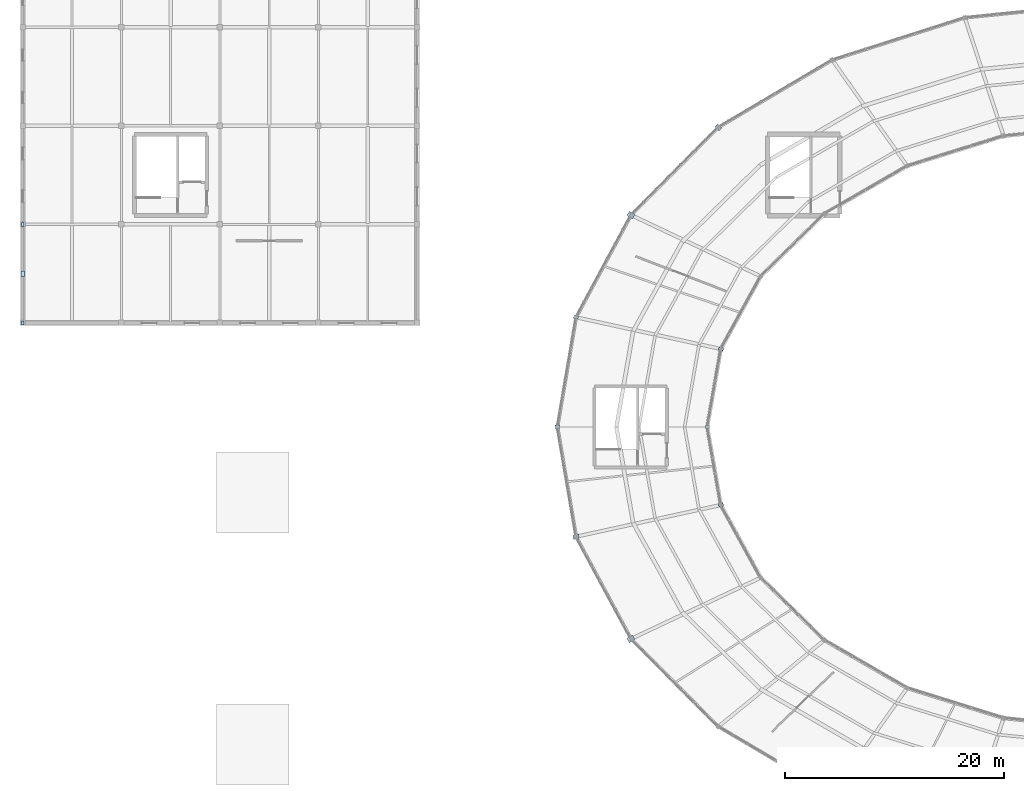
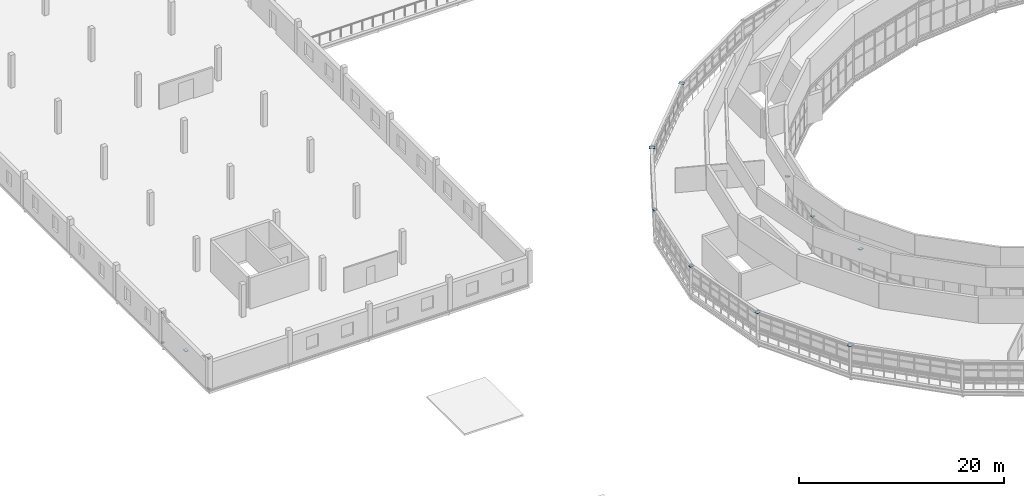
# One storey, part 95 of 123: 14 plates.
"""IFC4 building model written with IfcOpenShell, lengths in metres."""

from ifc_helpers import new_model, si_unit, direction, frame, origin, origin_2d, place, context, subcontext, project, spatial, rectangle, extrude, material, layer, layer_set, type_object, element, save


model = new_model("IFC4")

# Units and contexts
model_context = context("Model", 3, precision=1e-05, world=origin(), true_north=direction((0.0, 1.0)))
body_context = subcontext(model_context, "Body", "Model", "MODEL_VIEW")
ifc_project = project(units=[si_unit("LENGTHUNIT", "METRE"), si_unit("AREAUNIT", "SQUARE_METRE"), si_unit("VOLUMEUNIT", "CUBIC_METRE"), si_unit("PLANEANGLEUNIT", "RADIAN"), si_unit("MASSUNIT", "GRAM", prefix="KILO")], contexts=[model_context])

# Site, building, storey
site_placement = place(None, origin())
site = spatial("IfcSite", under=ifc_project, at=site_placement, CompositionType="ELEMENT")
building_placement = place(site_placement, origin())
building = spatial("IfcBuilding", under=site, at=building_placement, Name="Kildeholm Park Wholesale Market", CompositionType="ELEMENT")
storey_placement = place(building_placement, frame((0.0, 0.0, 9.60009765625)))
storey = spatial("IfcBuildingStorey", under=building, at=storey_placement, Name="L02", CompositionType="ELEMENT", Elevation=9.60009765625)

# Plates
ifc_material = material(Name="Steel S355", Category="steel")
ifc_layer_1 = layer(ifc_material, 0.030029296875)
ifc_layer_set_1 = layer_set([ifc_layer_1], Name="Steel S355")
plate_type_1 = type_object("IfcPlateType", Name="Steel connection plate BP-01 450x320x30", PredefinedType="SHEET", material=ifc_layer_set_1)
plate_1_placement = place(storey_placement, frame((48.800048828125, 89.5, 3.205078125), z_axis=(0.0, 0.0, 1.0), x_axis=(-1.0, 0.0, 0.0)))
element("IfcPlate", 1, at=plate_1_placement, inside=storey, type_object=plate_type_1, Name="Arch springing bearing plate MD-13 PLT-0070", PredefinedType="SHEET", context=body_context, shape_type="SweptSolid", body=[
    extrude(rectangle(XDim=0.449951171875, YDim=0.320068359375, at=origin_2d()), origin(), (0.0, 0.0, 1.0), 0.030029296875),
])
ifc_layer_2 = layer(ifc_material, 0.034912109375)
ifc_layer_set_2 = layer_set([ifc_layer_2], Name="Steel S355")
plate_type_2 = type_object("IfcPlateType", Name="Steel connection plate BP-02 520x380x35", PredefinedType="SHEET", material=ifc_layer_set_2)
for number, where, z_axis, x_axis, name in (
    (2, (63.5029296875, 116.864990234375, 3.20263671875), (0.0, 0.0, 1.0), (-0.707106781187, 0.707106781187, 0.0), "Arch springing bearing plate MD-10 PLT-0053"),
    (3, (50.510986328125, 79.48388671875, 3.20263671875), (0.0, 0.0, 1.0), (-0.965925826289, -0.258819045103, 0.0), "Arch springing bearing plate MD-14 PLT-0074"),
):
    element("IfcPlate", number, at=place(storey_placement, frame(where, z_axis=z_axis, x_axis=x_axis)), inside=storey, type_object=plate_type_2, Name=name, PredefinedType="SHEET", context=body_context, shape_type="SweptSolid", body=[
        extrude(rectangle(XDim=0.52001953125, YDim=0.3798828125, at=origin_2d()), origin(), (0.0, 0.0, 1.0), 0.034912109375),
    ])
ifc_layer_3 = layer(ifc_material, 0.0380859375)
ifc_layer_set_3 = layer_set([ifc_layer_3], Name="Steel S355")
plate_type_3 = type_object("IfcPlateType", Name="Steel connection plate BP-03 580x440x38", PredefinedType="SHEET", material=ifc_layer_set_3)
for number, where, z_axis, x_axis, name in (
    (4, (55.52587890625, 108.85009765625, 3.200927734375), (0.0, 0.0, 1.0), (-0.866025403784, 0.5, 0.0), "Arch springing bearing plate MD-11 PLT-0057"),
    (5, (55.52587890625, 70.14990234375, 3.200927734375), (0.0, 0.0, 1.0), (-0.866025403784, -0.5, 0.0), "Arch springing bearing plate MD-15 PLT-0078"),
):
    element("IfcPlate", number, at=place(storey_placement, frame(where, z_axis=z_axis, x_axis=x_axis)), inside=storey, type_object=plate_type_3, Name=name, PredefinedType="SHEET", context=body_context, shape_type="SweptSolid", body=[
        extrude(rectangle(XDim=0.580078125, YDim=0.43994140625, at=origin_2d()), origin(), (0.0, 0.0, 1.0), 0.0380859375),
    ])
ifc_layer_4 = layer(ifc_material, 0.02490234375)
ifc_layer_set_4 = layer_set([ifc_layer_4], Name="Steel S355")
plate_type_4 = type_object("IfcPlateType", Name="Steel connection plate BP-04 400x280x25", PredefinedType="SHEET", material=ifc_layer_set_4)
plate_2_placement = place(storey_placement, frame((50.510986328125, 99.51611328125, 3.20751953125), z_axis=(0.0, 0.0, 1.0), x_axis=(-0.965925826289, 0.258819045103, 0.0)))
element("IfcPlate", 6, at=plate_2_placement, inside=storey, type_object=plate_type_4, Name="Arch springing bearing plate MD-12 PLT-0061", PredefinedType="SHEET", context=body_context, shape_type="SweptSolid", body=[
    extrude(rectangle(XDim=0.39990234375, YDim=0.280029296875, at=origin_2d()), origin(), (0.0, 0.0, 1.0), 0.02490234375),
])
ifc_layer_5 = layer(ifc_material, 0.02001953125)
ifc_layer_set_5 = layer_set([ifc_layer_5], Name="Steel S355")
plate_type_5 = type_object("IfcPlateType", Name="Steel connection plate EP-01 360x260x20", PredefinedType="SHEET", material=ifc_layer_set_5)
for number, where, z_axis, x_axis, name in (
    (7, (62.5, 89.5, 4.349853515625), (0.0, 0.0, 1.0), (-1.0, 0.0, 0.0), "Arch springing end plate IN-13 PLT-0071"),
    (8, (0.0, 99.0, 0.010009765625), (0.0, 0.0, 1.0), (0.0, 1.0, 0.0), "Brace end connection plate BR-V4-L02-1 PLT-0138"),
    (9, (0.0, 108.0, 3.56982421875), (0.0, 0.0, 1.0), (0.0, 1.0, 0.0), "Brace end connection plate BR-V4-L02-2 PLT-0139"),
    (10, (0.0, 108.0, 0.010009765625), (0.0, 0.0, 1.0), (0.0, 1.0, 0.0), "Brace end connection plate BR-V4-L02-3 PLT-0140"),
    (11, (0.0, 99.0, 3.56982421875), (0.0, 0.0, 1.0), (0.0, 1.0, 0.0), "Brace end connection plate BR-V4-L02-4 PLT-0141"),
):
    element("IfcPlate", number, at=place(storey_placement, frame(where, z_axis=z_axis, x_axis=x_axis)), inside=storey, type_object=plate_type_5, Name=name, PredefinedType="SHEET", context=body_context, shape_type="SweptSolid", body=[
        extrude(rectangle(XDim=0.360107421875, YDim=0.260009765625, at=origin_2d()), origin(), (0.0, 0.0, 1.0), 0.02001953125),
    ])
ifc_layer_6 = layer(ifc_material, 0.02197265625)
ifc_layer_set_6 = layer_set([ifc_layer_6], Name="Steel S355")
plate_type_6 = type_object("IfcPlateType", Name="Steel connection plate EP-02 440x320x22", PredefinedType="SHEET", material=ifc_layer_set_6)
for number, where, z_axis, x_axis, name in (
    (12, (63.743896484375, 96.617919921875, 4.348876953125), (0.0, 0.0, 1.0), (-0.965925826289, 0.258819045103, 0.0), "Arch springing end plate IN-12 PLT-0062"),
    (13, (63.743896484375, 82.382080078125, 4.348876953125), (0.0, 0.0, 1.0), (-0.965925826289, -0.258819045103, 0.0), "Arch springing end plate IN-14 PLT-0075"),
):
    element("IfcPlate", number, at=place(storey_placement, frame(where, z_axis=z_axis, x_axis=x_axis)), inside=storey, type_object=plate_type_6, Name=name, PredefinedType="SHEET", context=body_context, shape_type="SweptSolid", body=[
        extrude(rectangle(XDim=0.43994140625, YDim=0.320068359375, at=origin_2d()), origin(), (0.0, 0.0, 1.0), 0.02197265625),
    ])
ifc_layer_7 = layer(ifc_material, 0.02587890625)
ifc_layer_set_7 = layer_set([ifc_layer_7], Name="Steel S355")
plate_type_7 = type_object("IfcPlateType", Name="Steel connection plate GP-02 480x340x26", PredefinedType="SHEET", material=ifc_layer_set_7)
plate_3_placement = place(storey_placement, frame((0.0, 103.5, 1.786865234375), z_axis=(0.0, 0.0, 1.0), x_axis=(0.0, 1.0, 0.0)))
element("IfcPlate", 14, at=plate_3_placement, inside=storey, type_object=plate_type_7, Name="X-brace crossing gusset plate BR-V4-L02 PLT-0137", PredefinedType="SHEET", context=body_context, shape_type="SweptSolid", body=[
    extrude(rectangle(XDim=0.47998046875, YDim=0.340087890625, at=origin_2d()), origin(), (0.0, 0.0, 1.0), 0.02587890625),
])

save(model, "model.ifc")
